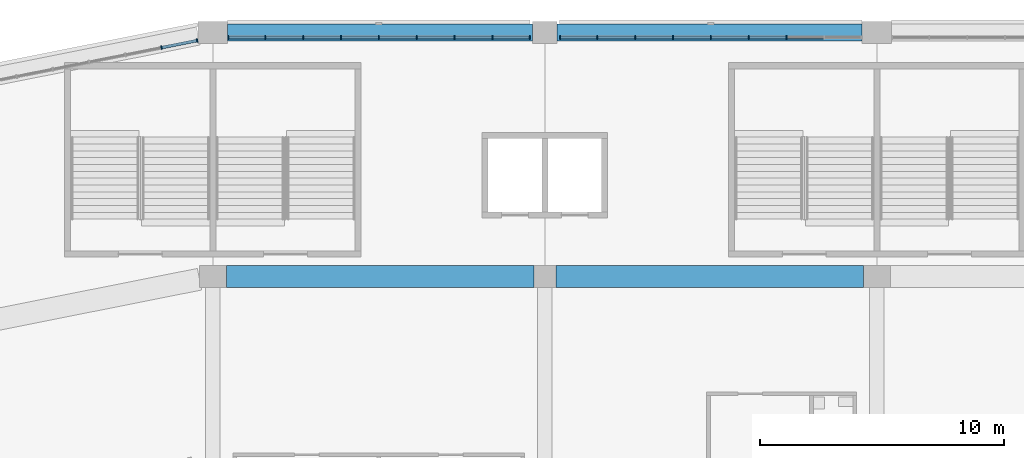
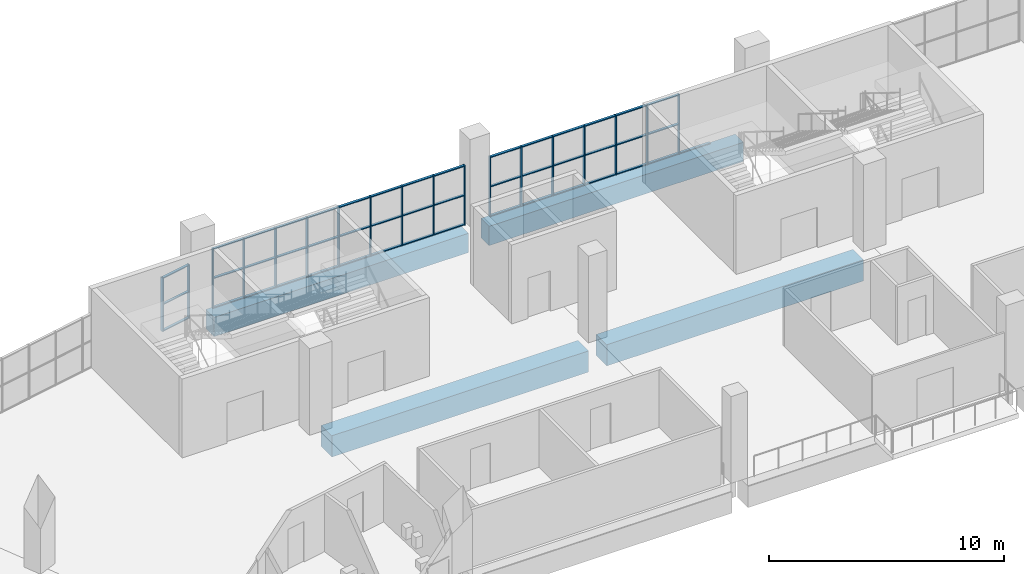
# One storey, part 43 of 199: 64 members, 4 beams, 3 elements without a shape of their own.
"""IFC4 building model written with IfcOpenShell, lengths in metres."""

from ifc_helpers import new_model, si_unit, direction, frame, origin, origin_2d, place, context, subcontext, project, spatial, rectangle, extrude, material, material_profile, profile_set, type_object, element, aggregate, save


model = new_model("IFC4")

# Units and contexts
model_context = context("Model", 3, precision=1e-05, world=origin(), true_north=direction((0.0, 1.0)))
body_context = subcontext(model_context, "Body", "Model", "MODEL_VIEW")
ifc_project = project(units=[si_unit("LENGTHUNIT", "METRE"), si_unit("AREAUNIT", "SQUARE_METRE"), si_unit("VOLUMEUNIT", "CUBIC_METRE"), si_unit("PLANEANGLEUNIT", "RADIAN"), si_unit("MASSUNIT", "GRAM", prefix="KILO")], contexts=[model_context])

# Site, building, storey
site_placement = place(None, origin())
site = spatial("IfcSite", under=ifc_project, at=site_placement, CompositionType="ELEMENT")
building_placement = place(site_placement, origin())
building = spatial("IfcBuilding", under=site, at=building_placement, Name="Ogive Plaza Stadium", CompositionType="ELEMENT")
storey_placement = place(building_placement, frame((0.0, 0.0, 9.0)))
storey = spatial("IfcBuildingStorey", under=building, at=storey_placement, Name="L02", CompositionType="ELEMENT", Elevation=9.0)

# Curtain wall, members
ifc_material_1 = material(Name="Bronze-anodised aluminium with laminated glass", Category="aluminium")
curtain_wall_type = type_object("IfcCurtainWallType", Name="Lancet curtain wall", PredefinedType="NOTDEFINED", material=ifc_material_1)
curtain_wall_1_placement = place(storey_placement, origin())
curtain_wall_1 = element("IfcCurtainWall", 1, at=curtain_wall_1_placement, inside=storey, type_object=curtain_wall_type, Name="CURTAIN WALL B31 L02", PredefinedType="NOTDEFINED")
ifc_material_2 = material(Name="Bronze-anodised aluminium", Category="aluminium")
ifc_material_profile_1 = material_profile(ifc_material_2, rectangle(XDim=0.14990234375, YDim=0.050048828125, at=origin_2d()), Name="AL 150x50")
ifc_profile_set_1 = profile_set([ifc_material_profile_1], Name="Bronze-anodised aluminium")
member_type_1 = type_object("IfcMemberType", Name="Curtain wall mullion 50x150", PredefinedType="MULLION", material=ifc_profile_set_1)
member_1_placement = place(storey_placement, frame((-36.104248046875, 101.87744140625, 0.0), z_axis=(0.0, 0.0, 1.0), x_axis=(-0.195090322016, 0.980785280403, 0.0)))
member_1 = element("IfcMember", 2, at=member_1_placement, type_object=member_type_1, Name="CW-B31-L02 mullion 12", PredefinedType="MULLION", context=body_context, shape_type="SweptSolid", body=[
    extrude(rectangle(XDim=0.14990234375, YDim=0.050048828125, at=origin_2d()), origin(), (0.0, 0.0, 1.0), 2.7900390625),
])
member_2_placement = place(storey_placement, frame((-34.64404296875, 102.16796875, 0.0), z_axis=(0.0, 0.0, 1.0), x_axis=(-0.195090322016, 0.980785280403, 0.0)))
member_2 = element("IfcMember", 3, at=member_2_placement, type_object=member_type_1, Name="CW-B31-L02 mullion 13", PredefinedType="MULLION", context=body_context, shape_type="SweptSolid", body=[
    extrude(rectangle(XDim=0.14990234375, YDim=0.050048828125, at=origin_2d()), origin(), (0.0, 0.0, 1.0), 2.7900390625),
])

curtain_wall_2_placement = place(storey_placement, origin())
curtain_wall_2 = element("IfcCurtainWall", 4, at=curtain_wall_2_placement, inside=storey, type_object=curtain_wall_type, Name="CURTAIN WALL B32 L02", PredefinedType="NOTDEFINED")
member_3_placement = place(storey_placement, frame((-33.375, 102.300048828125, 0.0), z_axis=(0.0, 0.0, 1.0), x_axis=(0.0, 1.0, 0.0)))
member_3 = element("IfcMember", 5, at=member_3_placement, type_object=member_type_1, Name="CW-B32-L02 mullion 1", PredefinedType="MULLION", context=body_context, shape_type="SweptSolid", body=[
    extrude(rectangle(XDim=0.14990234375, YDim=0.050048828125, at=origin_2d()), origin(), (0.0, 0.0, 1.0), 3.090087890625),
])
member_4_placement = place(storey_placement, frame((-31.85009765625, 102.300048828125, 0.0), z_axis=(0.0, 0.0, 1.0), x_axis=(0.0, 1.0, 0.0)))
member_4 = element("IfcMember", 6, at=member_4_placement, type_object=member_type_1, Name="CW-B32-L02 mullion 2", PredefinedType="MULLION", context=body_context, shape_type="SweptSolid", body=[
    extrude(rectangle(XDim=0.14990234375, YDim=0.050048828125, at=origin_2d()), origin(), (0.0, 0.0, 1.0), 3.090087890625),
])
member_5_placement = place(storey_placement, frame((-30.300048828125, 102.300048828125, 0.0), z_axis=(0.0, 0.0, 1.0), x_axis=(0.0, 1.0, 0.0)))
member_5 = element("IfcMember", 7, at=member_5_placement, type_object=member_type_1, Name="CW-B32-L02 mullion 3", PredefinedType="MULLION", context=body_context, shape_type="SweptSolid", body=[
    extrude(rectangle(XDim=0.14990234375, YDim=0.050048828125, at=origin_2d()), origin(), (0.0, 0.0, 1.0), 3.090087890625),
])
member_6_placement = place(storey_placement, frame((-28.75, 102.300048828125, 0.0), z_axis=(0.0, 0.0, 1.0), x_axis=(0.0, 1.0, 0.0)))
member_6 = element("IfcMember", 8, at=member_6_placement, type_object=member_type_1, Name="CW-B32-L02 mullion 4", PredefinedType="MULLION", context=body_context, shape_type="SweptSolid", body=[
    extrude(rectangle(XDim=0.14990234375, YDim=0.050048828125, at=origin_2d()), origin(), (0.0, 0.0, 1.0), 3.090087890625),
])
member_7_placement = place(storey_placement, frame((-27.199951171875, 102.300048828125, 0.0), z_axis=(0.0, 0.0, 1.0), x_axis=(0.0, 1.0, 0.0)))
member_7 = element("IfcMember", 9, at=member_7_placement, type_object=member_type_1, Name="CW-B32-L02 mullion 5", PredefinedType="MULLION", context=body_context, shape_type="SweptSolid", body=[
    extrude(rectangle(XDim=0.14990234375, YDim=0.050048828125, at=origin_2d()), origin(), (0.0, 0.0, 1.0), 3.090087890625),
])
member_8_placement = place(storey_placement, frame((-25.64990234375, 102.300048828125, 0.0), z_axis=(0.0, 0.0, 1.0), x_axis=(0.0, 1.0, 0.0)))
member_8 = element("IfcMember", 10, at=member_8_placement, type_object=member_type_1, Name="CW-B32-L02 mullion 6", PredefinedType="MULLION", context=body_context, shape_type="SweptSolid", body=[
    extrude(rectangle(XDim=0.14990234375, YDim=0.050048828125, at=origin_2d()), origin(), (0.0, 0.0, 1.0), 3.090087890625),
])
member_9_placement = place(storey_placement, frame((-24.10009765625, 102.300048828125, 0.0), z_axis=(0.0, 0.0, 1.0), x_axis=(0.0, 1.0, 0.0)))
member_9 = element("IfcMember", 11, at=member_9_placement, type_object=member_type_1, Name="CW-B32-L02 mullion 7", PredefinedType="MULLION", context=body_context, shape_type="SweptSolid", body=[
    extrude(rectangle(XDim=0.14990234375, YDim=0.050048828125, at=origin_2d()), origin(), (0.0, 0.0, 1.0), 3.090087890625),
])
member_10_placement = place(storey_placement, frame((-22.550048828125, 102.300048828125, 0.0), z_axis=(0.0, 0.0, 1.0), x_axis=(0.0, 1.0, 0.0)))
member_10 = element("IfcMember", 12, at=member_10_placement, type_object=member_type_1, Name="CW-B32-L02 mullion 8", PredefinedType="MULLION", context=body_context, shape_type="SweptSolid", body=[
    extrude(rectangle(XDim=0.14990234375, YDim=0.050048828125, at=origin_2d()), origin(), (0.0, 0.0, 1.0), 3.090087890625),
])
member_11_placement = place(storey_placement, frame((-21.02490234375, 102.300048828125, 0.0), z_axis=(0.0, 0.0, 1.0), x_axis=(0.0, 1.0, 0.0)))
member_11 = element("IfcMember", 13, at=member_11_placement, type_object=member_type_1, Name="CW-B32-L02 mullion 9", PredefinedType="MULLION", context=body_context, shape_type="SweptSolid", body=[
    extrude(rectangle(XDim=0.14990234375, YDim=0.050048828125, at=origin_2d()), origin(), (0.0, 0.0, 1.0), 3.090087890625),
])

curtain_wall_3_placement = place(storey_placement, origin())
curtain_wall_3 = element("IfcCurtainWall", 14, at=curtain_wall_3_placement, inside=storey, type_object=curtain_wall_type, Name="CURTAIN WALL B33 L02", PredefinedType="NOTDEFINED")
member_12_placement = place(storey_placement, frame((-19.77490234375, 102.300048828125, 0.0), z_axis=(0.0, 0.0, 1.0), x_axis=(0.0, 1.0, 0.0)))
member_12 = element("IfcMember", 15, at=member_12_placement, type_object=member_type_1, Name="CW-B33-L02 mullion 1", PredefinedType="MULLION", context=body_context, shape_type="SweptSolid", body=[
    extrude(rectangle(XDim=0.14990234375, YDim=0.050048828125, at=origin_2d()), origin(), (0.0, 0.0, 1.0), 3.090087890625),
])
member_13_placement = place(storey_placement, frame((-18.25, 102.300048828125, 0.0), z_axis=(0.0, 0.0, 1.0), x_axis=(0.0, 1.0, 0.0)))
member_13 = element("IfcMember", 16, at=member_13_placement, type_object=member_type_1, Name="CW-B33-L02 mullion 2", PredefinedType="MULLION", context=body_context, shape_type="SweptSolid", body=[
    extrude(rectangle(XDim=0.14990234375, YDim=0.050048828125, at=origin_2d()), origin(), (0.0, 0.0, 1.0), 3.090087890625),
])
member_14_placement = place(storey_placement, frame((-16.699951171875, 102.300048828125, 0.0), z_axis=(0.0, 0.0, 1.0), x_axis=(0.0, 1.0, 0.0)))
member_14 = element("IfcMember", 17, at=member_14_placement, type_object=member_type_1, Name="CW-B33-L02 mullion 3", PredefinedType="MULLION", context=body_context, shape_type="SweptSolid", body=[
    extrude(rectangle(XDim=0.14990234375, YDim=0.050048828125, at=origin_2d()), origin(), (0.0, 0.0, 1.0), 3.090087890625),
])
member_15_placement = place(storey_placement, frame((-15.14990234375, 102.300048828125, 0.0), z_axis=(0.0, 0.0, 1.0), x_axis=(0.0, 1.0, 0.0)))
member_15 = element("IfcMember", 18, at=member_15_placement, type_object=member_type_1, Name="CW-B33-L02 mullion 4", PredefinedType="MULLION", context=body_context, shape_type="SweptSolid", body=[
    extrude(rectangle(XDim=0.14990234375, YDim=0.050048828125, at=origin_2d()), origin(), (0.0, 0.0, 1.0), 3.090087890625),
])
member_16_placement = place(storey_placement, frame((-13.60009765625, 102.300048828125, 0.0), z_axis=(0.0, 0.0, 1.0), x_axis=(0.0, 1.0, 0.0)))
member_16 = element("IfcMember", 19, at=member_16_placement, type_object=member_type_1, Name="CW-B33-L02 mullion 5", PredefinedType="MULLION", context=body_context, shape_type="SweptSolid", body=[
    extrude(rectangle(XDim=0.14990234375, YDim=0.050048828125, at=origin_2d()), origin(), (0.0, 0.0, 1.0), 3.090087890625),
])
member_17_placement = place(storey_placement, frame((-12.050048828125, 102.300048828125, 0.0), z_axis=(0.0, 0.0, 1.0), x_axis=(0.0, 1.0, 0.0)))
member_17 = element("IfcMember", 20, at=member_17_placement, type_object=member_type_1, Name="CW-B33-L02 mullion 6", PredefinedType="MULLION", context=body_context, shape_type="SweptSolid", body=[
    extrude(rectangle(XDim=0.14990234375, YDim=0.050048828125, at=origin_2d()), origin(), (0.0, 0.0, 1.0), 3.090087890625),
])
member_18_placement = place(storey_placement, frame((-10.5, 102.300048828125, 0.0), z_axis=(0.0, 0.0, 1.0), x_axis=(0.0, 1.0, 0.0)))
member_18 = element("IfcMember", 21, at=member_18_placement, type_object=member_type_1, Name="CW-B33-L02 mullion 7", PredefinedType="MULLION", context=body_context, shape_type="SweptSolid", body=[
    extrude(rectangle(XDim=0.14990234375, YDim=0.050048828125, at=origin_2d()), origin(), (0.0, 0.0, 1.0), 3.090087890625),
])

# Member
ifc_material_3 = material(Name="Bronze-anodised aluminium", Category="aluminium")
ifc_material_profile_2 = material_profile(ifc_material_3, rectangle(XDim=0.1201171875, YDim=0.050048828125, at=origin_2d()), Name="AL 120x50")
ifc_profile_set_2 = profile_set([ifc_material_profile_2], Name="Bronze-anodised aluminium")
member_type_2 = type_object("IfcMemberType", Name="Curtain wall transom 50x120", PredefinedType="USERDEFINED", material=ifc_profile_set_2)
member_19_placement = place(storey_placement, frame((-36.079833984375, 101.88232421875, 0.02490234375), z_axis=(0.980782436465, 0.195104618913, 0.0), x_axis=(-0.195104618913, 0.980782436465, 0.0)))
member_19 = element("IfcMember", 22, at=member_19_placement, type_object=member_type_2, Name="CW-B31-L02 transom 12.1", ObjectType="TRANSOM", PredefinedType="USERDEFINED", context=body_context, shape_type="SweptSolid", body=[
    extrude(rectangle(XDim=0.1201171875, YDim=0.050048828125, at=origin_2d()), origin(), (0.0, 0.0, 1.0), 1.43896484375),
])

member_20_placement = place(storey_placement, frame((-36.079833984375, 101.88232421875, 1.39501953125), z_axis=(0.980782436465, 0.195104618913, 0.0), x_axis=(-0.195104618913, 0.980782436465, 0.0)))
member_20 = element("IfcMember", 23, at=member_20_placement, type_object=member_type_2, Name="CW-B31-L02 transom 12.2", ObjectType="TRANSOM", PredefinedType="USERDEFINED", context=body_context, shape_type="SweptSolid", body=[
    extrude(rectangle(XDim=0.1201171875, YDim=0.050048828125, at=origin_2d()), origin(), (0.0, 0.0, 1.0), 1.43896484375),
])

member_21_placement = place(storey_placement, frame((-36.079833984375, 101.88232421875, 2.764892578125), z_axis=(0.980782436465, 0.195104618913, 0.0), x_axis=(-0.195104618913, 0.980782436465, 0.0)))
member_21 = element("IfcMember", 24, at=member_21_placement, type_object=member_type_2, Name="CW-B31-L02 transom 12.3", ObjectType="TRANSOM", PredefinedType="USERDEFINED", context=body_context, shape_type="SweptSolid", body=[
    extrude(rectangle(XDim=0.1201171875, YDim=0.050048828125, at=origin_2d()), origin(), (0.0, 0.0, 1.0), 1.43896484375),
])

aggregate(curtain_wall_1, [member_1, member_2, member_19, member_20, member_21])

member_22_placement = place(storey_placement, frame((-33.35009765625, 102.300048828125, 0.02490234375), z_axis=(1.0, 0.0, 0.0), x_axis=(0.0, 1.0, 0.0)))
member_22 = element("IfcMember", 25, at=member_22_placement, type_object=member_type_2, Name="CW-B32-L02 transom 1.1", ObjectType="TRANSOM", PredefinedType="USERDEFINED", context=body_context, shape_type="SweptSolid", body=[
    extrude(rectangle(XDim=0.1201171875, YDim=0.050048828125, at=origin_2d()), origin(), (0.0, 0.0, 1.0), 1.47509765625),
])

member_23_placement = place(storey_placement, frame((-33.35009765625, 102.300048828125, 1.544921875), z_axis=(1.0, 0.0, 0.0), x_axis=(0.0, 1.0, 0.0)))
member_23 = element("IfcMember", 26, at=member_23_placement, type_object=member_type_2, Name="CW-B32-L02 transom 1.2", ObjectType="TRANSOM", PredefinedType="USERDEFINED", context=body_context, shape_type="SweptSolid", body=[
    extrude(rectangle(XDim=0.1201171875, YDim=0.050048828125, at=origin_2d()), origin(), (0.0, 0.0, 1.0), 1.47509765625),
])

member_24_placement = place(storey_placement, frame((-33.35009765625, 102.300048828125, 3.06494140625), z_axis=(1.0, 0.0, 0.0), x_axis=(0.0, 1.0, 0.0)))
member_24 = element("IfcMember", 27, at=member_24_placement, type_object=member_type_2, Name="CW-B32-L02 transom 1.3", ObjectType="TRANSOM", PredefinedType="USERDEFINED", context=body_context, shape_type="SweptSolid", body=[
    extrude(rectangle(XDim=0.1201171875, YDim=0.050048828125, at=origin_2d()), origin(), (0.0, 0.0, 1.0), 1.47509765625),
])

member_25_placement = place(storey_placement, frame((-31.824951171875, 102.300048828125, 0.02490234375), z_axis=(1.0, 0.0, 0.0), x_axis=(0.0, 1.0, 0.0)))
member_25 = element("IfcMember", 28, at=member_25_placement, type_object=member_type_2, Name="CW-B32-L02 transom 2.1", ObjectType="TRANSOM", PredefinedType="USERDEFINED", context=body_context, shape_type="SweptSolid", body=[
    extrude(rectangle(XDim=0.1201171875, YDim=0.050048828125, at=origin_2d()), origin(), (0.0, 0.0, 1.0), 1.5),
])

member_26_placement = place(storey_placement, frame((-31.824951171875, 102.300048828125, 1.544921875), z_axis=(1.0, 0.0, 0.0), x_axis=(0.0, 1.0, 0.0)))
member_26 = element("IfcMember", 29, at=member_26_placement, type_object=member_type_2, Name="CW-B32-L02 transom 2.2", ObjectType="TRANSOM", PredefinedType="USERDEFINED", context=body_context, shape_type="SweptSolid", body=[
    extrude(rectangle(XDim=0.1201171875, YDim=0.050048828125, at=origin_2d()), origin(), (0.0, 0.0, 1.0), 1.5),
])

member_27_placement = place(storey_placement, frame((-31.824951171875, 102.300048828125, 3.06494140625), z_axis=(1.0, 0.0, 0.0), x_axis=(0.0, 1.0, 0.0)))
member_27 = element("IfcMember", 30, at=member_27_placement, type_object=member_type_2, Name="CW-B32-L02 transom 2.3", ObjectType="TRANSOM", PredefinedType="USERDEFINED", context=body_context, shape_type="SweptSolid", body=[
    extrude(rectangle(XDim=0.1201171875, YDim=0.050048828125, at=origin_2d()), origin(), (0.0, 0.0, 1.0), 1.5),
])

member_28_placement = place(storey_placement, frame((-30.27490234375, 102.300048828125, 0.02490234375), z_axis=(1.0, 0.0, 0.0), x_axis=(0.0, 1.0, 0.0)))
member_28 = element("IfcMember", 31, at=member_28_placement, type_object=member_type_2, Name="CW-B32-L02 transom 3.1", ObjectType="TRANSOM", PredefinedType="USERDEFINED", context=body_context, shape_type="SweptSolid", body=[
    extrude(rectangle(XDim=0.1201171875, YDim=0.050048828125, at=origin_2d()), origin(), (0.0, 0.0, 1.0), 1.5),
])

member_29_placement = place(storey_placement, frame((-30.27490234375, 102.300048828125, 1.544921875), z_axis=(1.0, 0.0, 0.0), x_axis=(0.0, 1.0, 0.0)))
member_29 = element("IfcMember", 32, at=member_29_placement, type_object=member_type_2, Name="CW-B32-L02 transom 3.2", ObjectType="TRANSOM", PredefinedType="USERDEFINED", context=body_context, shape_type="SweptSolid", body=[
    extrude(rectangle(XDim=0.1201171875, YDim=0.050048828125, at=origin_2d()), origin(), (0.0, 0.0, 1.0), 1.5),
])

member_30_placement = place(storey_placement, frame((-30.27490234375, 102.300048828125, 3.06494140625), z_axis=(1.0, 0.0, 0.0), x_axis=(0.0, 1.0, 0.0)))
member_30 = element("IfcMember", 33, at=member_30_placement, type_object=member_type_2, Name="CW-B32-L02 transom 3.3", ObjectType="TRANSOM", PredefinedType="USERDEFINED", context=body_context, shape_type="SweptSolid", body=[
    extrude(rectangle(XDim=0.1201171875, YDim=0.050048828125, at=origin_2d()), origin(), (0.0, 0.0, 1.0), 1.5),
])

member_31_placement = place(storey_placement, frame((-28.72509765625, 102.300048828125, 0.02490234375), z_axis=(1.0, 0.0, 0.0), x_axis=(0.0, 1.0, 0.0)))
member_31 = element("IfcMember", 34, at=member_31_placement, type_object=member_type_2, Name="CW-B32-L02 transom 4.1", ObjectType="TRANSOM", PredefinedType="USERDEFINED", context=body_context, shape_type="SweptSolid", body=[
    extrude(rectangle(XDim=0.1201171875, YDim=0.050048828125, at=origin_2d()), origin(), (0.0, 0.0, 1.0), 1.5),
])

member_32_placement = place(storey_placement, frame((-28.72509765625, 102.300048828125, 1.544921875), z_axis=(1.0, 0.0, 0.0), x_axis=(0.0, 1.0, 0.0)))
member_32 = element("IfcMember", 35, at=member_32_placement, type_object=member_type_2, Name="CW-B32-L02 transom 4.2", ObjectType="TRANSOM", PredefinedType="USERDEFINED", context=body_context, shape_type="SweptSolid", body=[
    extrude(rectangle(XDim=0.1201171875, YDim=0.050048828125, at=origin_2d()), origin(), (0.0, 0.0, 1.0), 1.5),
])

member_33_placement = place(storey_placement, frame((-28.72509765625, 102.300048828125, 3.06494140625), z_axis=(1.0, 0.0, 0.0), x_axis=(0.0, 1.0, 0.0)))
member_33 = element("IfcMember", 36, at=member_33_placement, type_object=member_type_2, Name="CW-B32-L02 transom 4.3", ObjectType="TRANSOM", PredefinedType="USERDEFINED", context=body_context, shape_type="SweptSolid", body=[
    extrude(rectangle(XDim=0.1201171875, YDim=0.050048828125, at=origin_2d()), origin(), (0.0, 0.0, 1.0), 1.5),
])

member_34_placement = place(storey_placement, frame((-27.175048828125, 102.300048828125, 0.02490234375), z_axis=(1.0, 0.0, 0.0), x_axis=(0.0, 1.0, 0.0)))
member_34 = element("IfcMember", 37, at=member_34_placement, type_object=member_type_2, Name="CW-B32-L02 transom 5.1", ObjectType="TRANSOM", PredefinedType="USERDEFINED", context=body_context, shape_type="SweptSolid", body=[
    extrude(rectangle(XDim=0.1201171875, YDim=0.050048828125, at=origin_2d()), origin(), (0.0, 0.0, 1.0), 1.5),
])

member_35_placement = place(storey_placement, frame((-27.175048828125, 102.300048828125, 1.544921875), z_axis=(1.0, 0.0, 0.0), x_axis=(0.0, 1.0, 0.0)))
member_35 = element("IfcMember", 38, at=member_35_placement, type_object=member_type_2, Name="CW-B32-L02 transom 5.2", ObjectType="TRANSOM", PredefinedType="USERDEFINED", context=body_context, shape_type="SweptSolid", body=[
    extrude(rectangle(XDim=0.1201171875, YDim=0.050048828125, at=origin_2d()), origin(), (0.0, 0.0, 1.0), 1.5),
])

member_36_placement = place(storey_placement, frame((-27.175048828125, 102.300048828125, 3.06494140625), z_axis=(1.0, 0.0, 0.0), x_axis=(0.0, 1.0, 0.0)))
member_36 = element("IfcMember", 39, at=member_36_placement, type_object=member_type_2, Name="CW-B32-L02 transom 5.3", ObjectType="TRANSOM", PredefinedType="USERDEFINED", context=body_context, shape_type="SweptSolid", body=[
    extrude(rectangle(XDim=0.1201171875, YDim=0.050048828125, at=origin_2d()), origin(), (0.0, 0.0, 1.0), 1.5),
])

member_37_placement = place(storey_placement, frame((-25.625, 102.300048828125, 0.02490234375), z_axis=(1.0, 0.0, 0.0), x_axis=(0.0, 1.0, 0.0)))
member_37 = element("IfcMember", 40, at=member_37_placement, type_object=member_type_2, Name="CW-B32-L02 transom 6.1", ObjectType="TRANSOM", PredefinedType="USERDEFINED", context=body_context, shape_type="SweptSolid", body=[
    extrude(rectangle(XDim=0.1201171875, YDim=0.050048828125, at=origin_2d()), origin(), (0.0, 0.0, 1.0), 1.5),
])

member_38_placement = place(storey_placement, frame((-25.625, 102.300048828125, 1.544921875), z_axis=(1.0, 0.0, 0.0), x_axis=(0.0, 1.0, 0.0)))
member_38 = element("IfcMember", 41, at=member_38_placement, type_object=member_type_2, Name="CW-B32-L02 transom 6.2", ObjectType="TRANSOM", PredefinedType="USERDEFINED", context=body_context, shape_type="SweptSolid", body=[
    extrude(rectangle(XDim=0.1201171875, YDim=0.050048828125, at=origin_2d()), origin(), (0.0, 0.0, 1.0), 1.5),
])

member_39_placement = place(storey_placement, frame((-25.625, 102.300048828125, 3.06494140625), z_axis=(1.0, 0.0, 0.0), x_axis=(0.0, 1.0, 0.0)))
member_39 = element("IfcMember", 42, at=member_39_placement, type_object=member_type_2, Name="CW-B32-L02 transom 6.3", ObjectType="TRANSOM", PredefinedType="USERDEFINED", context=body_context, shape_type="SweptSolid", body=[
    extrude(rectangle(XDim=0.1201171875, YDim=0.050048828125, at=origin_2d()), origin(), (0.0, 0.0, 1.0), 1.5),
])

member_40_placement = place(storey_placement, frame((-24.074951171875, 102.300048828125, 0.02490234375), z_axis=(1.0, 0.0, 0.0), x_axis=(0.0, 1.0, 0.0)))
member_40 = element("IfcMember", 43, at=member_40_placement, type_object=member_type_2, Name="CW-B32-L02 transom 7.1", ObjectType="TRANSOM", PredefinedType="USERDEFINED", context=body_context, shape_type="SweptSolid", body=[
    extrude(rectangle(XDim=0.1201171875, YDim=0.050048828125, at=origin_2d()), origin(), (0.0, 0.0, 1.0), 1.5),
])

member_41_placement = place(storey_placement, frame((-24.074951171875, 102.300048828125, 1.544921875), z_axis=(1.0, 0.0, 0.0), x_axis=(0.0, 1.0, 0.0)))
member_41 = element("IfcMember", 44, at=member_41_placement, type_object=member_type_2, Name="CW-B32-L02 transom 7.2", ObjectType="TRANSOM", PredefinedType="USERDEFINED", context=body_context, shape_type="SweptSolid", body=[
    extrude(rectangle(XDim=0.1201171875, YDim=0.050048828125, at=origin_2d()), origin(), (0.0, 0.0, 1.0), 1.5),
])

member_42_placement = place(storey_placement, frame((-24.074951171875, 102.300048828125, 3.06494140625), z_axis=(1.0, 0.0, 0.0), x_axis=(0.0, 1.0, 0.0)))
member_42 = element("IfcMember", 45, at=member_42_placement, type_object=member_type_2, Name="CW-B32-L02 transom 7.3", ObjectType="TRANSOM", PredefinedType="USERDEFINED", context=body_context, shape_type="SweptSolid", body=[
    extrude(rectangle(XDim=0.1201171875, YDim=0.050048828125, at=origin_2d()), origin(), (0.0, 0.0, 1.0), 1.5),
])

member_43_placement = place(storey_placement, frame((-22.52490234375, 102.300048828125, 0.02490234375), z_axis=(1.0, 0.0, 0.0), x_axis=(0.0, 1.0, 0.0)))
member_43 = element("IfcMember", 46, at=member_43_placement, type_object=member_type_2, Name="CW-B32-L02 transom 8.1", ObjectType="TRANSOM", PredefinedType="USERDEFINED", context=body_context, shape_type="SweptSolid", body=[
    extrude(rectangle(XDim=0.1201171875, YDim=0.050048828125, at=origin_2d()), origin(), (0.0, 0.0, 1.0), 1.474853515625),
])

member_44_placement = place(storey_placement, frame((-22.52490234375, 102.300048828125, 1.544921875), z_axis=(1.0, 0.0, 0.0), x_axis=(0.0, 1.0, 0.0)))
member_44 = element("IfcMember", 47, at=member_44_placement, type_object=member_type_2, Name="CW-B32-L02 transom 8.2", ObjectType="TRANSOM", PredefinedType="USERDEFINED", context=body_context, shape_type="SweptSolid", body=[
    extrude(rectangle(XDim=0.1201171875, YDim=0.050048828125, at=origin_2d()), origin(), (0.0, 0.0, 1.0), 1.474853515625),
])

member_45_placement = place(storey_placement, frame((-22.52490234375, 102.300048828125, 3.06494140625), z_axis=(1.0, 0.0, 0.0), x_axis=(0.0, 1.0, 0.0)))
member_45 = element("IfcMember", 48, at=member_45_placement, type_object=member_type_2, Name="CW-B32-L02 transom 8.3", ObjectType="TRANSOM", PredefinedType="USERDEFINED", context=body_context, shape_type="SweptSolid", body=[
    extrude(rectangle(XDim=0.1201171875, YDim=0.050048828125, at=origin_2d()), origin(), (0.0, 0.0, 1.0), 1.474853515625),
])

aggregate(curtain_wall_2, [member_3, member_4, member_5, member_6, member_7, member_8, member_9, member_10, member_11, member_22, member_23, member_24, member_25, member_26, member_27, member_28, member_29, member_30, member_31, member_32, member_33, member_34, member_35, member_36, member_37, member_38, member_39, member_40, member_41, member_42, member_43, member_44, member_45])

member_46_placement = place(storey_placement, frame((-19.75, 102.300048828125, 0.02490234375), z_axis=(1.0, 0.0, 0.0), x_axis=(0.0, 1.0, 0.0)))
member_46 = element("IfcMember", 49, at=member_46_placement, type_object=member_type_2, Name="CW-B33-L02 transom 1.1", ObjectType="TRANSOM", PredefinedType="USERDEFINED", context=body_context, shape_type="SweptSolid", body=[
    extrude(rectangle(XDim=0.1201171875, YDim=0.050048828125, at=origin_2d()), origin(), (0.0, 0.0, 1.0), 1.47509765625),
])

member_47_placement = place(storey_placement, frame((-19.75, 102.300048828125, 1.544921875), z_axis=(1.0, 0.0, 0.0), x_axis=(0.0, 1.0, 0.0)))
member_47 = element("IfcMember", 50, at=member_47_placement, type_object=member_type_2, Name="CW-B33-L02 transom 1.2", ObjectType="TRANSOM", PredefinedType="USERDEFINED", context=body_context, shape_type="SweptSolid", body=[
    extrude(rectangle(XDim=0.1201171875, YDim=0.050048828125, at=origin_2d()), origin(), (0.0, 0.0, 1.0), 1.47509765625),
])

member_48_placement = place(storey_placement, frame((-19.75, 102.300048828125, 3.06494140625), z_axis=(1.0, 0.0, 0.0), x_axis=(0.0, 1.0, 0.0)))
member_48 = element("IfcMember", 51, at=member_48_placement, type_object=member_type_2, Name="CW-B33-L02 transom 1.3", ObjectType="TRANSOM", PredefinedType="USERDEFINED", context=body_context, shape_type="SweptSolid", body=[
    extrude(rectangle(XDim=0.1201171875, YDim=0.050048828125, at=origin_2d()), origin(), (0.0, 0.0, 1.0), 1.47509765625),
])

member_49_placement = place(storey_placement, frame((-18.22509765625, 102.300048828125, 0.02490234375), z_axis=(1.0, 0.0, 0.0), x_axis=(0.0, 1.0, 0.0)))
member_49 = element("IfcMember", 52, at=member_49_placement, type_object=member_type_2, Name="CW-B33-L02 transom 2.1", ObjectType="TRANSOM", PredefinedType="USERDEFINED", context=body_context, shape_type="SweptSolid", body=[
    extrude(rectangle(XDim=0.1201171875, YDim=0.050048828125, at=origin_2d()), origin(), (0.0, 0.0, 1.0), 1.5),
])

member_50_placement = place(storey_placement, frame((-18.22509765625, 102.300048828125, 1.544921875), z_axis=(1.0, 0.0, 0.0), x_axis=(0.0, 1.0, 0.0)))
member_50 = element("IfcMember", 53, at=member_50_placement, type_object=member_type_2, Name="CW-B33-L02 transom 2.2", ObjectType="TRANSOM", PredefinedType="USERDEFINED", context=body_context, shape_type="SweptSolid", body=[
    extrude(rectangle(XDim=0.1201171875, YDim=0.050048828125, at=origin_2d()), origin(), (0.0, 0.0, 1.0), 1.5),
])

member_51_placement = place(storey_placement, frame((-18.22509765625, 102.300048828125, 3.06494140625), z_axis=(1.0, 0.0, 0.0), x_axis=(0.0, 1.0, 0.0)))
member_51 = element("IfcMember", 54, at=member_51_placement, type_object=member_type_2, Name="CW-B33-L02 transom 2.3", ObjectType="TRANSOM", PredefinedType="USERDEFINED", context=body_context, shape_type="SweptSolid", body=[
    extrude(rectangle(XDim=0.1201171875, YDim=0.050048828125, at=origin_2d()), origin(), (0.0, 0.0, 1.0), 1.5),
])

member_52_placement = place(storey_placement, frame((-16.675048828125, 102.300048828125, 0.02490234375), z_axis=(1.0, 0.0, 0.0), x_axis=(0.0, 1.0, 0.0)))
member_52 = element("IfcMember", 55, at=member_52_placement, type_object=member_type_2, Name="CW-B33-L02 transom 3.1", ObjectType="TRANSOM", PredefinedType="USERDEFINED", context=body_context, shape_type="SweptSolid", body=[
    extrude(rectangle(XDim=0.1201171875, YDim=0.050048828125, at=origin_2d()), origin(), (0.0, 0.0, 1.0), 1.5),
])

member_53_placement = place(storey_placement, frame((-16.675048828125, 102.300048828125, 1.544921875), z_axis=(1.0, 0.0, 0.0), x_axis=(0.0, 1.0, 0.0)))
member_53 = element("IfcMember", 56, at=member_53_placement, type_object=member_type_2, Name="CW-B33-L02 transom 3.2", ObjectType="TRANSOM", PredefinedType="USERDEFINED", context=body_context, shape_type="SweptSolid", body=[
    extrude(rectangle(XDim=0.1201171875, YDim=0.050048828125, at=origin_2d()), origin(), (0.0, 0.0, 1.0), 1.5),
])

member_54_placement = place(storey_placement, frame((-16.675048828125, 102.300048828125, 3.06494140625), z_axis=(1.0, 0.0, 0.0), x_axis=(0.0, 1.0, 0.0)))
member_54 = element("IfcMember", 57, at=member_54_placement, type_object=member_type_2, Name="CW-B33-L02 transom 3.3", ObjectType="TRANSOM", PredefinedType="USERDEFINED", context=body_context, shape_type="SweptSolid", body=[
    extrude(rectangle(XDim=0.1201171875, YDim=0.050048828125, at=origin_2d()), origin(), (0.0, 0.0, 1.0), 1.5),
])

member_55_placement = place(storey_placement, frame((-15.125, 102.300048828125, 0.02490234375), z_axis=(1.0, 0.0, 0.0), x_axis=(0.0, 1.0, 0.0)))
member_55 = element("IfcMember", 58, at=member_55_placement, type_object=member_type_2, Name="CW-B33-L02 transom 4.1", ObjectType="TRANSOM", PredefinedType="USERDEFINED", context=body_context, shape_type="SweptSolid", body=[
    extrude(rectangle(XDim=0.1201171875, YDim=0.050048828125, at=origin_2d()), origin(), (0.0, 0.0, 1.0), 1.5),
])

member_56_placement = place(storey_placement, frame((-15.125, 102.300048828125, 1.544921875), z_axis=(1.0, 0.0, 0.0), x_axis=(0.0, 1.0, 0.0)))
member_56 = element("IfcMember", 59, at=member_56_placement, type_object=member_type_2, Name="CW-B33-L02 transom 4.2", ObjectType="TRANSOM", PredefinedType="USERDEFINED", context=body_context, shape_type="SweptSolid", body=[
    extrude(rectangle(XDim=0.1201171875, YDim=0.050048828125, at=origin_2d()), origin(), (0.0, 0.0, 1.0), 1.5),
])

member_57_placement = place(storey_placement, frame((-15.125, 102.300048828125, 3.06494140625), z_axis=(1.0, 0.0, 0.0), x_axis=(0.0, 1.0, 0.0)))
member_57 = element("IfcMember", 60, at=member_57_placement, type_object=member_type_2, Name="CW-B33-L02 transom 4.3", ObjectType="TRANSOM", PredefinedType="USERDEFINED", context=body_context, shape_type="SweptSolid", body=[
    extrude(rectangle(XDim=0.1201171875, YDim=0.050048828125, at=origin_2d()), origin(), (0.0, 0.0, 1.0), 1.5),
])

member_58_placement = place(storey_placement, frame((-13.574951171875, 102.300048828125, 0.02490234375), z_axis=(1.0, 0.0, 0.0), x_axis=(0.0, 1.0, 0.0)))
member_58 = element("IfcMember", 61, at=member_58_placement, type_object=member_type_2, Name="CW-B33-L02 transom 5.1", ObjectType="TRANSOM", PredefinedType="USERDEFINED", context=body_context, shape_type="SweptSolid", body=[
    extrude(rectangle(XDim=0.1201171875, YDim=0.050048828125, at=origin_2d()), origin(), (0.0, 0.0, 1.0), 1.5),
])

member_59_placement = place(storey_placement, frame((-13.574951171875, 102.300048828125, 1.544921875), z_axis=(1.0, 0.0, 0.0), x_axis=(0.0, 1.0, 0.0)))
member_59 = element("IfcMember", 62, at=member_59_placement, type_object=member_type_2, Name="CW-B33-L02 transom 5.2", ObjectType="TRANSOM", PredefinedType="USERDEFINED", context=body_context, shape_type="SweptSolid", body=[
    extrude(rectangle(XDim=0.1201171875, YDim=0.050048828125, at=origin_2d()), origin(), (0.0, 0.0, 1.0), 1.5),
])

member_60_placement = place(storey_placement, frame((-13.574951171875, 102.300048828125, 3.06494140625), z_axis=(1.0, 0.0, 0.0), x_axis=(0.0, 1.0, 0.0)))
member_60 = element("IfcMember", 63, at=member_60_placement, type_object=member_type_2, Name="CW-B33-L02 transom 5.3", ObjectType="TRANSOM", PredefinedType="USERDEFINED", context=body_context, shape_type="SweptSolid", body=[
    extrude(rectangle(XDim=0.1201171875, YDim=0.050048828125, at=origin_2d()), origin(), (0.0, 0.0, 1.0), 1.5),
])

member_61_placement = place(storey_placement, frame((-12.02490234375, 102.300048828125, 0.02490234375), z_axis=(1.0, 0.0, 0.0), x_axis=(0.0, 1.0, 0.0)))
member_61 = element("IfcMember", 64, at=member_61_placement, type_object=member_type_2, Name="CW-B33-L02 transom 6.1", ObjectType="TRANSOM", PredefinedType="USERDEFINED", context=body_context, shape_type="SweptSolid", body=[
    extrude(rectangle(XDim=0.1201171875, YDim=0.050048828125, at=origin_2d()), origin(), (0.0, 0.0, 1.0), 1.5),
])

member_62_placement = place(storey_placement, frame((-12.02490234375, 102.300048828125, 1.544921875), z_axis=(1.0, 0.0, 0.0), x_axis=(0.0, 1.0, 0.0)))
member_62 = element("IfcMember", 65, at=member_62_placement, type_object=member_type_2, Name="CW-B33-L02 transom 6.2", ObjectType="TRANSOM", PredefinedType="USERDEFINED", context=body_context, shape_type="SweptSolid", body=[
    extrude(rectangle(XDim=0.1201171875, YDim=0.050048828125, at=origin_2d()), origin(), (0.0, 0.0, 1.0), 1.5),
])

member_63_placement = place(storey_placement, frame((-12.02490234375, 102.300048828125, 3.06494140625), z_axis=(1.0, 0.0, 0.0), x_axis=(0.0, 1.0, 0.0)))
member_63 = element("IfcMember", 66, at=member_63_placement, type_object=member_type_2, Name="CW-B33-L02 transom 6.3", ObjectType="TRANSOM", PredefinedType="USERDEFINED", context=body_context, shape_type="SweptSolid", body=[
    extrude(rectangle(XDim=0.1201171875, YDim=0.050048828125, at=origin_2d()), origin(), (0.0, 0.0, 1.0), 1.5),
])

member_64_placement = place(storey_placement, frame((-10.47509765625, 102.300048828125, 0.02490234375), z_axis=(1.0, 0.0, 0.0), x_axis=(0.0, 1.0, 0.0)))
member_64 = element("IfcMember", 67, at=member_64_placement, type_object=member_type_2, Name="CW-B33-L02 transom 7.1", ObjectType="TRANSOM", PredefinedType="USERDEFINED", context=body_context, shape_type="SweptSolid", body=[
    extrude(rectangle(XDim=0.1201171875, YDim=0.050048828125, at=origin_2d()), origin(), (0.0, 0.0, 1.0), 1.5),
])

aggregate(curtain_wall_3, [member_12, member_13, member_14, member_15, member_16, member_17, member_18, member_46, member_47, member_48, member_49, member_50, member_51, member_52, member_53, member_54, member_55, member_56, member_57, member_58, member_59, member_60, member_61, member_62, member_63, member_64])

# Beams
ifc_material_4 = material(Name="Concrete C40/50", Category="concrete")
ifc_material_profile_3 = material_profile(ifc_material_4, rectangle(XDim=0.89990234375, YDim=1.10009765625, at=origin_2d()), Name="RC 900x1100")
ifc_profile_set_3 = profile_set([ifc_material_profile_3], Name="Concrete C40/50")
beam_type_1 = type_object("IfcBeamType", Name="RC ring beam 900x1100", PredefinedType="BEAM", material=ifc_profile_set_3)
for number, where, z_axis, x_axis, name in (
    (68, (-33.449951171875, 92.5, -0.9599609375), (1.0, 0.0, 0.0), (0.0, 1.0, 0.0), "Ring beam F4 L02 B32"),
    (69, (-19.949951171875, 92.5, -0.9599609375), (1.0, 0.0, 0.0), (0.0, 1.0, 0.0), "Ring beam F4 L02 B33"),
):
    element("IfcBeam", number, at=place(storey_placement, frame(where, z_axis=z_axis, x_axis=x_axis)), inside=storey, type_object=beam_type_1, Name=name, PredefinedType="BEAM", context=body_context, shape_type="SweptSolid", body=[
        extrude(rectangle(XDim=0.89990234375, YDim=1.10009765625, at=origin_2d()), origin(), (0.0, 0.0, 1.0), 12.599853515625),
    ])
ifc_material_5 = material(Name="Concrete C40/50", Category="concrete")
ifc_material_profile_4 = material_profile(ifc_material_5, rectangle(XDim=0.699951171875, YDim=1.0, at=origin_2d()), Name="RC 700x1000")
ifc_profile_set_4 = profile_set([ifc_material_profile_4], Name="Concrete C40/50")
beam_type_2 = type_object("IfcBeamType", Name="RC spandrel beam 700x1000", PredefinedType="SPANDREL", material=ifc_profile_set_4)
for number, where, z_axis, x_axis, name in (
    (70, (-33.39990234375, 102.5, -0.909912109375), (1.0, 0.0, 0.0), (0.0, 1.0, 0.0), "Ring beam F5 L02 B32"),
    (71, (-19.89990234375, 102.5, -0.909912109375), (1.0, 0.0, 0.0), (0.0, 1.0, 0.0), "Ring beam F5 L02 B33"),
):
    element("IfcBeam", number, at=place(storey_placement, frame(where, z_axis=z_axis, x_axis=x_axis)), inside=storey, type_object=beam_type_2, Name=name, PredefinedType="SPANDREL", context=body_context, shape_type="SweptSolid", body=[
        extrude(rectangle(XDim=0.699951171875, YDim=1.0, at=origin_2d()), origin(), (0.0, 0.0, 1.0), 12.5),
    ])

save(model, "model.ifc")
